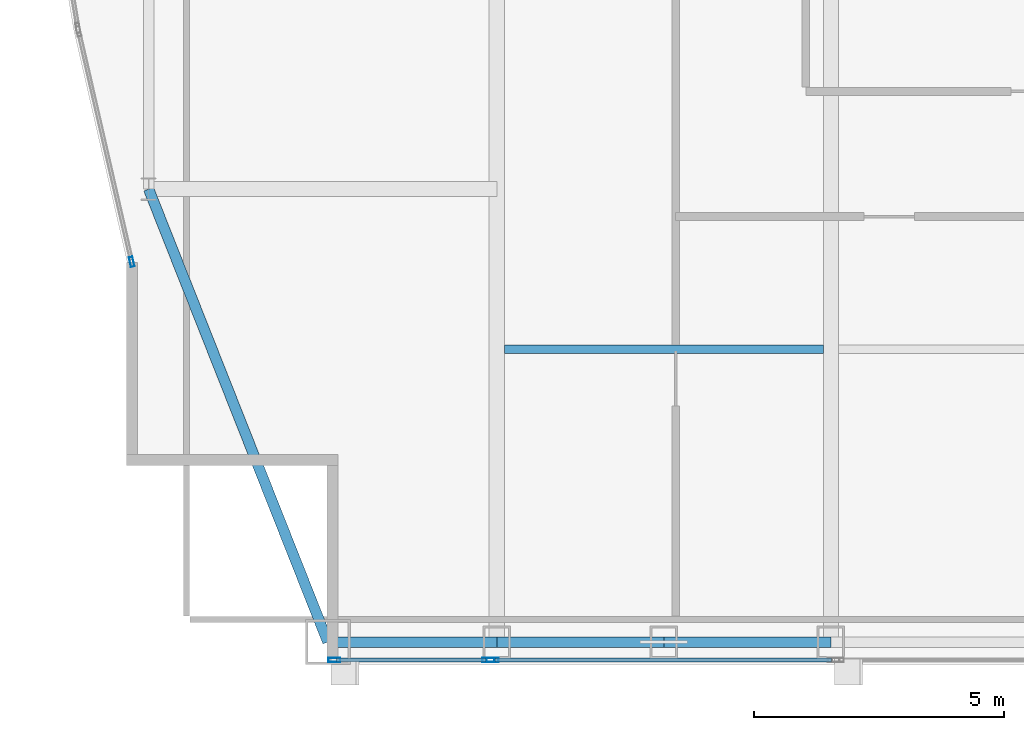
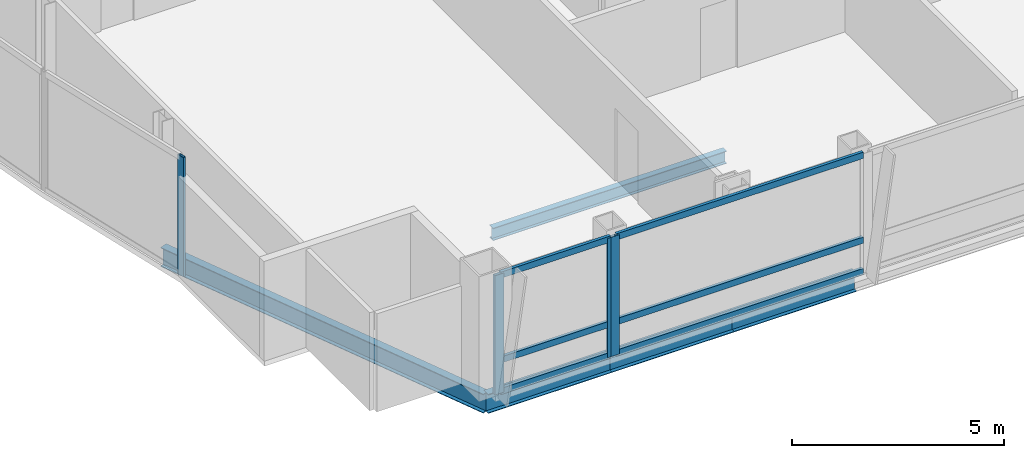
# One storey, part 4 of 29: 10 members, 5 beams, 3 elements without a shape of their own.
"""IFC4 building model written with IfcOpenShell, lengths in metres."""

import ifcopenshell
import ifcopenshell.guid

model = None  # the IFC model being written
_history = None  # IfcOwnerHistory: only IFC2X3 demands one
_inside = {}  # id of a spatial element -> (the spatial element, [elements in it])
_under = {}  # id of a project, library or spatial element -> (it, [spatial elements below it])
_declared = {}  # id of a project -> (the project, [libraries it declares])
_typed = {}  # id of a type object -> (the type object, [elements of that type])
_made_of = {}  # id of a material, layer set ... -> (it, [elements and type objects made of it])


def new_model(schema):
    """Start an empty IFC model of exactly this schema.

    Asked for "IFC4X3", IfcOpenShell would pick the latest addendum, in which some entities
    have other attributes; the version numbers below select the first issue.
    IFC2X3 requires an IfcOwnerHistory on every rooted entity: one is made here for all.
    """
    global model, _history
    if schema == "IFC4X3":
        model = ifcopenshell.file(schema_version=(4, 3, 0, 0))
    else:
        model = ifcopenshell.file(schema=schema)
    _inside.clear()
    _under.clear()
    _declared.clear()
    _typed.clear()
    _made_of.clear()
    _history = None
    if model.schema == "IFC2X3":
        org = make("IfcOrganization", Name="unknown")
        user = make(
            "IfcPersonAndOrganization",
            ThePerson=make("IfcPerson", FamilyName="unknown"),
            TheOrganization=org,
        )
        app = make(
            "IfcApplication",
            ApplicationDeveloper=org,
            Version="unknown",
            ApplicationFullName="unknown",
            ApplicationIdentifier="unknown",
        )
        _history = make(
            "IfcOwnerHistory",
            OwningUser=user,
            OwningApplication=app,
            ChangeAction="ADDED",
            CreationDate=0,
        )
    return model


def make(cls, **values):
    """One entity of the class cls with the attributes given. An attribute that is None is left unset."""
    return model.create_entity(
        cls, **{name: value for name, value in values.items() if value is not None}
    )


def rooted(cls, **values):
    """An entity with a GlobalId (a new one), such as an element, a storey or a relation."""
    return make(cls, GlobalId=ifcopenshell.guid.new(), OwnerHistory=_history, **values)


def si_unit(unit_type, name, prefix=None):
    """IfcSIUnit, for example si_unit("LENGTHUNIT", "METRE", prefix="MILLI")."""
    return make("IfcSIUnit", UnitType=unit_type, Prefix=prefix, Name=name)


def assignment(units):
    """IfcUnitAssignment: the units of a project."""
    return None if units is None else make("IfcUnitAssignment", Units=units)


def point(xyz):
    """IfcCartesianPoint."""
    return None if xyz is None else make("IfcCartesianPoint", Coordinates=xyz)


def direction(xyz):
    """IfcDirection."""
    return None if xyz is None else make("IfcDirection", DirectionRatios=xyz)


def frame(location, z_axis=None, x_axis=None):
    """IfcAxis2Placement3D, a coordinate frame: its origin and axes. An axis left out is left unset."""
    return make(
        "IfcAxis2Placement3D",
        Location=point(location),
        Axis=direction(z_axis),
        RefDirection=direction(x_axis),
    )


def frame_2d(location, x_axis=None):
    """IfcAxis2Placement2D, a coordinate frame in the plane: its origin and x axis."""
    return make(
        "IfcAxis2Placement2D", Location=point(location), RefDirection=direction(x_axis)
    )


def origin():
    """The frame at (0, 0, 0) with its axes left unset."""
    return frame((0.0, 0.0, 0.0))


def origin_2d():
    """The frame at (0, 0) in the plane with its x axis left unset."""
    return frame_2d((0.0, 0.0))


def place(relative_to, where):
    """IfcLocalPlacement: puts the frame where relative to a parent placement (None: the world)."""
    return make(
        "IfcLocalPlacement", PlacementRelTo=relative_to, RelativePlacement=where
    )


def context(
    kind, dimensions, precision=None, world=None, true_north=None, identifier=None
):
    """IfcGeometricRepresentationContext, for example the 3D "Model" context."""
    return make(
        "IfcGeometricRepresentationContext",
        ContextIdentifier=identifier,
        ContextType=kind,
        CoordinateSpaceDimension=dimensions,
        Precision=precision,
        WorldCoordinateSystem=world,
        TrueNorth=true_north,
    )


def subcontext(parent, identifier, kind, view, scale=None):
    """IfcGeometricRepresentationSubContext, for example "Body" below "Model"."""
    return make(
        "IfcGeometricRepresentationSubContext",
        ContextIdentifier=identifier,
        ContextType=kind,
        ParentContext=parent,
        TargetScale=scale,
        TargetView=view,
    )


def project(units=None, contexts=None):
    """IfcProject with its units and contexts."""
    return rooted(
        "IfcProject",
        Name="project",
        RepresentationContexts=contexts,
        UnitsInContext=assignment(units),
    )


def spatial(cls, under=None, at=None, **own):
    """A site, building, storey or space (cls), placed at a placement, below another one or the project."""
    s = rooted(cls, ObjectPlacement=at, **own)
    if under is not None:
        _under.setdefault(under.id(), (under, []))[1].append(s)
    return s


def profile(cls, at=None, kind="AREA", **sizes):
    """A parametric profile (cls). Its sizes go by their IFC names, for example OverallWidth=200.0."""
    return make(cls, ProfileType=kind, Position=at, **sizes)


def hollow_rectangle(**sizes):
    """IfcRectangleHollowProfileDef."""
    return profile("IfcRectangleHollowProfileDef", **sizes)


def i_section(**sizes):
    """IfcIShapeProfileDef."""
    return profile("IfcIShapeProfileDef", **sizes)


def extrude(swept, where, along, depth):
    """IfcExtrudedAreaSolid: the profile swept, set in the frame where, extruded along a direction by depth."""
    return make(
        "IfcExtrudedAreaSolid",
        SweptArea=swept,
        Position=where,
        ExtrudedDirection=direction(along),
        Depth=depth,
    )


def shape(context_of_items, identifier, shape_type, items):
    """IfcShapeRepresentation: the items that make up one representation, for example the "Body"."""
    return make(
        "IfcShapeRepresentation",
        ContextOfItems=context_of_items,
        RepresentationIdentifier=identifier,
        RepresentationType=shape_type,
        Items=items,
    )


def material(Name=None, Category=None):
    """IfcMaterial."""
    return make("IfcMaterial", Name=Name, Category=Category)


def material_profile(
    of_material, cross_section, Name=None, Category=None, Priority=None
):
    """IfcMaterialProfile: a cross section and its material."""
    return make(
        "IfcMaterialProfile",
        Name=Name,
        Material=of_material,
        Profile=cross_section,
        Priority=Priority,
        Category=Category,
    )


def profile_set(profiles, Name=None, composite=None):
    """IfcMaterialProfileSet."""
    return make(
        "IfcMaterialProfileSet",
        Name=Name,
        MaterialProfiles=profiles,
        CompositeProfile=composite,
    )


def made_of(thing, what):
    """Note that an element or type object is made of a material, layer set ...; save() writes the relation."""
    if what is not None:
        _made_of.setdefault(what.id(), (what, []))[1].append(thing)
    return thing


def type_object(cls, material=None, **own):
    """A type object (cls), such as IfcWallType, which elements share."""
    return made_of(rooted(cls, **own), material)


def element(
    cls,
    number,
    at=None,
    inside=None,
    cuts=None,
    type_object=None,
    material=None,
    context=None,
    identifier="Body",
    shape_type=None,
    held_by="IfcProductDefinitionShape",
    body=None,
    shapes=None,
    **own,
):
    """One element of the class cls, such as IfcWall. Its Tag is "e" and its number.

    at: its placement. inside: the storey or other place that contains it. cuts: it is an
    opening in that element (IfcRelVoidsElement). A single representation is given by context,
    identifier, shape_type and body (its items); several are given by shapes. held_by: the class
    of the entity that holds the representations. save() writes the other relations.
    """
    e = rooted(cls, Tag="e%d" % number, ObjectPlacement=at, **own)
    if body is not None:
        shapes = [shape(context, identifier, shape_type, body)]
    if shapes is not None:
        e.Representation = make(held_by, Representations=shapes)
    if inside is not None:
        _inside.setdefault(inside.id(), (inside, []))[1].append(e)
    if cuts is not None:
        rooted(
            "IfcRelVoidsElement", RelatingBuildingElement=cuts, RelatedOpeningElement=e
        )
    if type_object is not None:
        _typed.setdefault(type_object.id(), (type_object, []))[1].append(e)
    return made_of(e, material)


def aggregate(whole, parts):
    """IfcRelAggregates: a whole, such as a stair, and the parts it consists of."""
    return rooted("IfcRelAggregates", RelatingObject=whole, RelatedObjects=parts)


def save(model, path):
    """Write the relations noted so far, then the file.

    IfcRelAggregates (storeys below a building ...), IfcRelContainedInSpatialStructure (elements
    in a storey), IfcRelDefinesByType, IfcRelAssociatesMaterial and IfcRelDeclares: one each for
    every whole, place, type object, material and project.
    """
    for whole, parts in _under.values():
        aggregate(whole, parts)
    for where, things in _inside.values():
        rooted(
            "IfcRelContainedInSpatialStructure",
            RelatedElements=things,
            RelatingStructure=where,
        )
    for kind, things in _typed.values():
        rooted("IfcRelDefinesByType", RelatedObjects=things, RelatingType=kind)
    for what, things in _made_of.values():
        rooted("IfcRelAssociatesMaterial", RelatedObjects=things, RelatingMaterial=what)
    for by, libraries in _declared.values():
        rooted("IfcRelDeclares", RelatingContext=by, RelatedDefinitions=libraries)
    model.write(path)


model = new_model("IFC4")

# Units and contexts
model_context = context("Model", 3, precision=1e-05, world=origin(), true_north=direction((0.0, 1.0)))
body_context = subcontext(model_context, "Body", "Model", "MODEL_VIEW")
ifc_project = project(units=[si_unit("LENGTHUNIT", "METRE"), si_unit("AREAUNIT", "SQUARE_METRE"), si_unit("VOLUMEUNIT", "CUBIC_METRE"), si_unit("PLANEANGLEUNIT", "RADIAN"), si_unit("MASSUNIT", "GRAM", prefix="KILO")], contexts=[model_context])

# Site, building, storey
site_placement = place(None, origin())
site = spatial("IfcSite", under=ifc_project, at=site_placement, CompositionType="ELEMENT")
building_placement = place(site_placement, origin())
building = spatial("IfcBuilding", under=site, at=building_placement, Name="Khoronbel Lancet Exchange", CompositionType="ELEMENT")
storey_placement = place(building_placement, frame((0.0, 0.0, 321.800048828125)))
storey = spatial("IfcBuildingStorey", under=building, at=storey_placement, Name="L83", CompositionType="ELEMENT", Elevation=321.800048828125)

# Beams
ifc_material_1 = material(Name="Steel S355", Category="steel")
ifc_material_profile_1 = material_profile(ifc_material_1, i_section(OverallWidth=0.169921875, OverallDepth=0.360107421875, WebThickness=0.008056640625, FlangeThickness=0.0126953125, at=origin_2d()), Name="IPE 360")
ifc_profile_set_1 = profile_set([ifc_material_profile_1], Name="Steel S355")
beam_type_1 = type_object("IfcBeamType", Name="BM-BJ6", PredefinedType="JOIST", material=ifc_profile_set_1)
beam_1_placement = place(storey_placement, frame((18.375, 16.0, -0.340087890625), z_axis=(1.0, 0.0, 0.0), x_axis=(0.0, 1.0, 0.0)))
element("IfcBeam", 1, at=beam_1_placement, inside=storey, type_object=beam_type_1, Name="Level L83 secondary composite joist J01", PredefinedType="JOIST", context=body_context, shape_type="SweptSolid", body=[
    extrude(i_section(OverallWidth=0.169921875, OverallDepth=0.360107421875, WebThickness=0.008056640625, FlangeThickness=0.0126953125, at=origin_2d()), origin(), (0.0, 0.0, 1.0), 6.375),
])
ifc_material_profile_2 = material_profile(ifc_material_1, i_section(OverallWidth=0.2099609375, OverallDepth=0.550048828125, WebThickness=0.010986328125, FlangeThickness=0.01708984375, at=origin_2d()), Name="IPE 550")
ifc_profile_set_2 = profile_set([ifc_material_profile_2], Name="Steel S355")
beam_type_2 = type_object("IfcBeamType", Name="BM-BSP3", PredefinedType="SPANDREL", material=ifc_profile_set_2)
beam_2_placement = place(storey_placement, frame((14.85009765625, 10.14990234375, -0.43505859375), z_axis=(1.0, 0.0, 0.0), x_axis=(0.0, 1.0, 0.0)))
element("IfcBeam", 2, at=beam_2_placement, inside=storey, type_object=beam_type_2, Name="Level L83 perimeter spandrel beam SP01", PredefinedType="SPANDREL", context=body_context, shape_type="SweptSolid", body=[
    extrude(i_section(OverallWidth=0.2099609375, OverallDepth=0.550048828125, WebThickness=0.010986328125, FlangeThickness=0.01708984375, at=origin_2d()), origin(), (0.0, 0.0, 1.0), 3.375),
])
for number, where, z_axis, x_axis, name in (
    (3, (18.22509765625, 10.14990234375, -0.43505859375), (1.0, 0.0, 0.0), (0.0, 1.0, 0.0), "Level L83 perimeter spandrel beam SP02"),
    (4, (21.5625, 10.14990234375, -0.43505859375), (1.0, 0.0, 0.0), (0.0, 1.0, 0.0), "Level L83 perimeter spandrel beam SP03"),
):
    element("IfcBeam", number, at=place(storey_placement, frame(where, z_axis=z_axis, x_axis=x_axis)), inside=storey, type_object=beam_type_2, Name=name, PredefinedType="SPANDREL", context=body_context, shape_type="SweptSolid", body=[
        extrude(i_section(OverallWidth=0.2099609375, OverallDepth=0.550048828125, WebThickness=0.010986328125, FlangeThickness=0.01708984375, at=origin_2d()), origin(), (0.0, 0.0, 1.0), 3.33740234375),
    ])
beam_3_placement = place(storey_placement, frame((11.27001953125, 19.199951171875, -0.43505859375), z_axis=(0.367850095026, -0.92988510451, 0.0), x_axis=(0.92988510451, 0.367850095026, 0.0)))
element("IfcBeam", 5, at=beam_3_placement, inside=storey, type_object=beam_type_2, Name="Level L83 perimeter spandrel beam SP19", PredefinedType="SPANDREL", context=body_context, shape_type="SweptSolid", body=[
    extrude(i_section(OverallWidth=0.2099609375, OverallDepth=0.550048828125, WebThickness=0.010986328125, FlangeThickness=0.01708984375, at=origin_2d()), origin(), (0.0, 0.0, 1.0), 9.732421875),
])

# Curtain wall, members
ifc_material_2 = material(Name="Low-E Solar Control Insulating Glass", Category="glass")
curtain_wall_type_1 = type_object("IfcCurtainWallType", Name="CW-3", PredefinedType="NOTDEFINED", material=ifc_material_2)
curtain_wall_1_placement = place(storey_placement, origin())
curtain_wall_1 = element("IfcCurtainWall", 6, at=curtain_wall_1_placement, inside=storey, type_object=curtain_wall_type_1, Name="Unitised curtain wall CW-L83-SWV", PredefinedType="NOTDEFINED")
ifc_material_3 = material(Name="Bronze-Anodised Aluminium 6063-T6", Category="aluminium")
ifc_material_profile_3 = material_profile(ifc_material_3, hollow_rectangle(XDim=0.0849609375, YDim=0.239990234375, WallThickness=0.006103515625, at=origin_2d()), Name="ALU MULLION 85x240")
ifc_profile_set_3 = profile_set([ifc_material_profile_3], Name="Bronze-Anodised Aluminium 6063-T6")
member_type_1 = type_object("IfcMemberType", Name="MEM-CWM1", PredefinedType="MULLION", material=ifc_profile_set_3)
member_1_placement = place(storey_placement, frame((14.982421875, 9.7900390625, 0.0), z_axis=(0.0, 0.0, 1.0), x_axis=(0.0, 1.0, 0.0)))
member_1 = element("IfcMember", 7, at=member_1_placement, type_object=member_type_1, Name="CW3 mullion 1", PredefinedType="MULLION", context=body_context, shape_type="SweptSolid", body=[
    extrude(hollow_rectangle(XDim=0.0849609375, YDim=0.239990234375, WallThickness=0.006103515625, at=origin_2d()), origin(), (0.0, 0.0, 1.0), 3.43994140625),
])
member_2_placement = place(storey_placement, frame((18.0576171875, 9.7900390625, 0.0), z_axis=(0.0, 0.0, 1.0), x_axis=(0.0, 1.0, 0.0)))
member_2 = element("IfcMember", 8, at=member_2_placement, type_object=member_type_1, Name="CW3 mullion 2", PredefinedType="MULLION", context=body_context, shape_type="SweptSolid", body=[
    extrude(hollow_rectangle(XDim=0.0849609375, YDim=0.239990234375, WallThickness=0.006103515625, at=origin_2d()), origin(), (0.0, 0.0, 1.0), 3.43994140625),
])

# Curtain wall, member
curtain_wall_2_placement = place(storey_placement, origin())
curtain_wall_2 = element("IfcCurtainWall", 9, at=curtain_wall_2_placement, inside=storey, type_object=curtain_wall_type_1, Name="Unitised curtain wall CW-L83-SWB", PredefinedType="NOTDEFINED")
member_3_placement = place(storey_placement, frame((18.142578125, 9.7900390625, 0.0), z_axis=(0.0, 0.0, 1.0), x_axis=(0.0, 1.0, 0.0)))
member_3 = element("IfcMember", 10, at=member_3_placement, type_object=member_type_1, Name="CW3 mullion 1", PredefinedType="MULLION", context=body_context, shape_type="SweptSolid", body=[
    extrude(hollow_rectangle(XDim=0.0849609375, YDim=0.239990234375, WallThickness=0.006103515625, at=origin_2d()), origin(), (0.0, 0.0, 1.0), 3.43994140625),
])

curtain_wall_type_2 = type_object("IfcCurtainWallType", Name="CW-4", PredefinedType="NOTDEFINED", material=ifc_material_2)
curtain_wall_3_placement = place(storey_placement, origin())
curtain_wall_3 = element("IfcCurtainWall", 11, at=curtain_wall_3_placement, inside=storey, type_object=curtain_wall_type_2, Name="Unitised curtain wall CW-L83-E04", PredefinedType="NOTDEFINED")
ifc_material_profile_4 = material_profile(ifc_material_3, hollow_rectangle(XDim=0.074951171875, YDim=0.199951171875, WallThickness=0.0048828125, at=origin_2d()), Name="ALU MULLION 75x200")
ifc_profile_set_4 = profile_set([ifc_material_profile_4], Name="Bronze-Anodised Aluminium 6063-T6")
member_type_2 = type_object("IfcMemberType", Name="MEM-CWM2", PredefinedType="MULLION", material=ifc_profile_set_4)
member_4_placement = place(storey_placement, frame((10.931640625, 17.746826171875, 0.0), z_axis=(0.0, 0.0, 1.0), x_axis=(-0.974479667701, -0.224475783189, 0.0)))
member_4 = element("IfcMember", 12, at=member_4_placement, type_object=member_type_2, Name="CW4 mullion 1", PredefinedType="MULLION", context=body_context, shape_type="SweptSolid", body=[
    extrude(hollow_rectangle(XDim=0.074951171875, YDim=0.199951171875, WallThickness=0.0048828125, at=origin_2d()), origin(), (0.0, 0.0, 1.0), 3.43994140625),
])
aggregate(curtain_wall_3, [member_4])

# Member
ifc_material_profile_5 = material_profile(ifc_material_3, hollow_rectangle(XDim=0.0849609375, YDim=0.179931640625, WallThickness=0.0048828125, at=origin_2d()), Name="ALU TRANSOM 85x180")
ifc_profile_set_5 = profile_set([ifc_material_profile_5], Name="Bronze-Anodised Aluminium 6063-T6")
member_type_3 = type_object("IfcMemberType", Name="MEM-CWT1", PredefinedType="USERDEFINED", material=ifc_profile_set_5)
member_5_placement = place(storey_placement, frame((15.02490234375, 9.7900390625, 0.04248046875), z_axis=(1.0, 0.0, 0.0), x_axis=(0.0, 1.0, 0.0)))
member_5 = element("IfcMember", 13, at=member_5_placement, type_object=member_type_3, Name="CW3 transom 1.1", ObjectType="TRANSOM", PredefinedType="USERDEFINED", context=body_context, shape_type="SweptSolid", body=[
    extrude(hollow_rectangle(XDim=0.0849609375, YDim=0.179931640625, WallThickness=0.0048828125, at=origin_2d()), origin(), (0.0, 0.0, 1.0), 2.989990234375),
])

member_6_placement = place(storey_placement, frame((15.02490234375, 9.7900390625, 0.949951171875), z_axis=(1.0, 0.0, 0.0), x_axis=(0.0, 1.0, 0.0)))
member_6 = element("IfcMember", 14, at=member_6_placement, type_object=member_type_3, Name="CW3 transom 1.2", ObjectType="TRANSOM", PredefinedType="USERDEFINED", context=body_context, shape_type="SweptSolid", body=[
    extrude(hollow_rectangle(XDim=0.0849609375, YDim=0.179931640625, WallThickness=0.0048828125, at=origin_2d()), origin(), (0.0, 0.0, 1.0), 2.989990234375),
])

member_7_placement = place(storey_placement, frame((15.02490234375, 9.7900390625, 3.3974609375), z_axis=(1.0, 0.0, 0.0), x_axis=(0.0, 1.0, 0.0)))
member_7 = element("IfcMember", 15, at=member_7_placement, type_object=member_type_3, Name="CW3 transom 1.3", ObjectType="TRANSOM", PredefinedType="USERDEFINED", context=body_context, shape_type="SweptSolid", body=[
    extrude(hollow_rectangle(XDim=0.0849609375, YDim=0.179931640625, WallThickness=0.0048828125, at=origin_2d()), origin(), (0.0, 0.0, 1.0), 2.989990234375),
])

aggregate(curtain_wall_1, [member_1, member_2, member_5, member_6, member_7])

member_8_placement = place(storey_placement, frame((18.18505859375, 9.7900390625, 0.04248046875), z_axis=(1.0, 0.0, 0.0), x_axis=(0.0, 1.0, 0.0)))
member_8 = element("IfcMember", 16, at=member_8_placement, type_object=member_type_3, Name="CW3 transom 1.1", ObjectType="TRANSOM", PredefinedType="USERDEFINED", context=body_context, shape_type="SweptSolid", body=[
    extrude(hollow_rectangle(XDim=0.0849609375, YDim=0.179931640625, WallThickness=0.0048828125, at=origin_2d()), origin(), (0.0, 0.0, 1.0), 6.72998046875),
])

member_9_placement = place(storey_placement, frame((18.18505859375, 9.7900390625, 0.949951171875), z_axis=(1.0, 0.0, 0.0), x_axis=(0.0, 1.0, 0.0)))
member_9 = element("IfcMember", 17, at=member_9_placement, type_object=member_type_3, Name="CW3 transom 1.2", ObjectType="TRANSOM", PredefinedType="USERDEFINED", context=body_context, shape_type="SweptSolid", body=[
    extrude(hollow_rectangle(XDim=0.0849609375, YDim=0.179931640625, WallThickness=0.0048828125, at=origin_2d()), origin(), (0.0, 0.0, 1.0), 6.72998046875),
])

member_10_placement = place(storey_placement, frame((18.18505859375, 9.7900390625, 3.3974609375), z_axis=(1.0, 0.0, 0.0), x_axis=(0.0, 1.0, 0.0)))
member_10 = element("IfcMember", 18, at=member_10_placement, type_object=member_type_3, Name="CW3 transom 1.3", ObjectType="TRANSOM", PredefinedType="USERDEFINED", context=body_context, shape_type="SweptSolid", body=[
    extrude(hollow_rectangle(XDim=0.0849609375, YDim=0.179931640625, WallThickness=0.0048828125, at=origin_2d()), origin(), (0.0, 0.0, 1.0), 6.72998046875),
])

aggregate(curtain_wall_2, [member_3, member_8, member_9, member_10])

save(model, "model.ifc")
